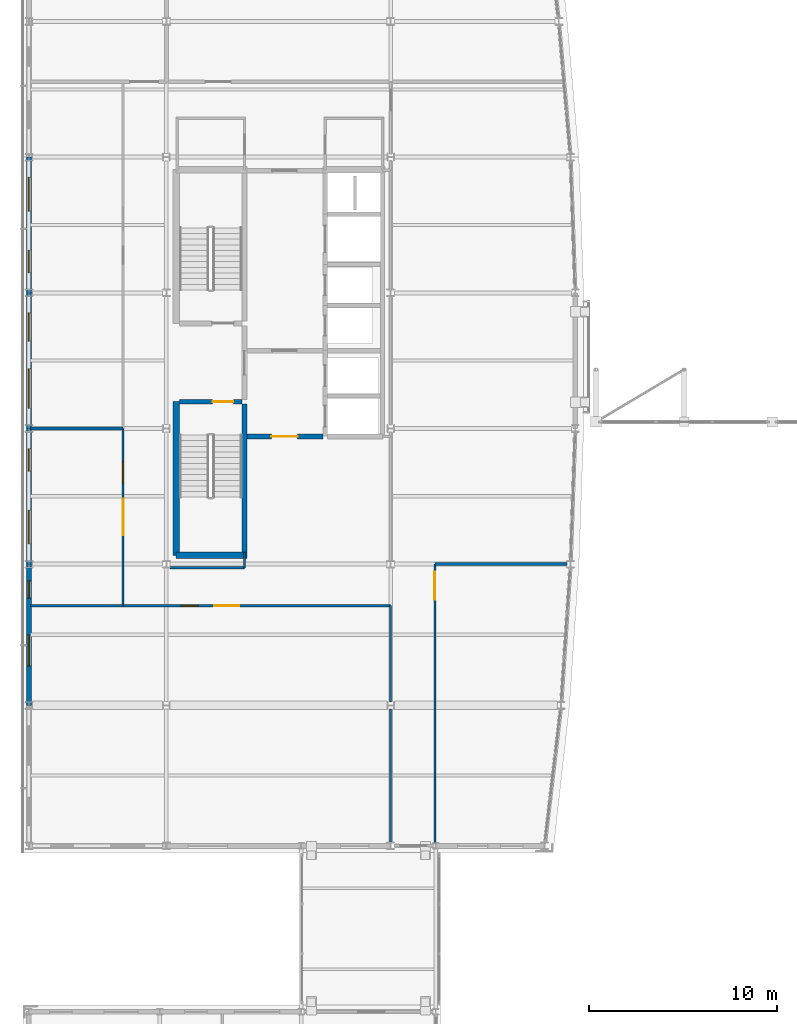
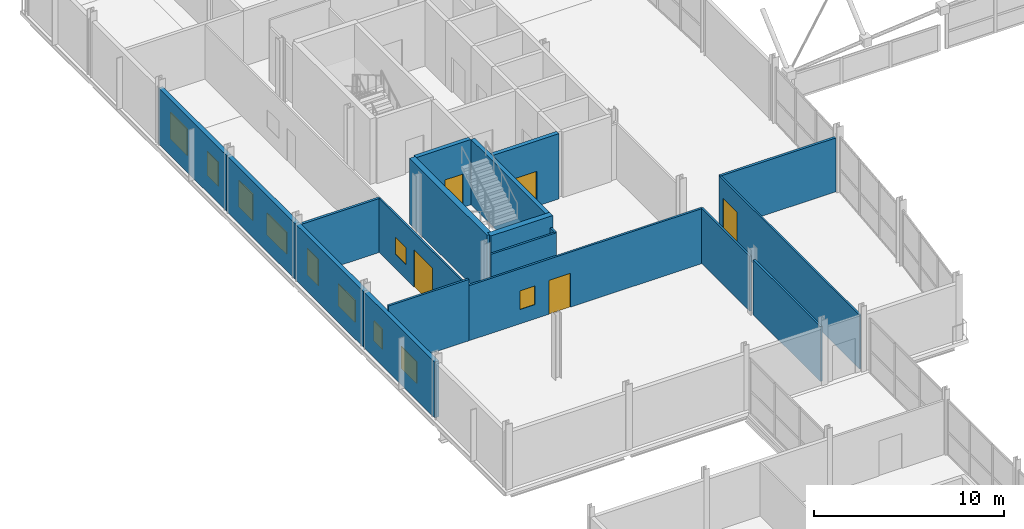
# One storey, part 50 of 60: 19 walls, 10 windows, 5 doors, 15 openings.
"""IFC4 building model written with IfcOpenShell, lengths in metres."""

from ifc_helpers import new_model, si_unit, direction, frame, frame_2d, origin, place, context, subcontext, project, spatial, rectangle, extrude, material, layer, layer_set, type_object, element, fill, save


model = new_model("IFC4")

# Units and contexts
model_context = context("Model", 3, precision=1e-05, world=origin(), true_north=direction((0.0, 1.0)))
body_context = subcontext(model_context, "Body", "Model", "MODEL_VIEW")
ifc_project = project(units=[si_unit("LENGTHUNIT", "METRE"), si_unit("AREAUNIT", "SQUARE_METRE"), si_unit("VOLUMEUNIT", "CUBIC_METRE"), si_unit("PLANEANGLEUNIT", "RADIAN"), si_unit("MASSUNIT", "GRAM", prefix="KILO")], contexts=[model_context])

# Site, building, storey
site_placement = place(None, origin())
site = spatial("IfcSite", under=ifc_project, at=site_placement, CompositionType="ELEMENT")
building_placement = place(site_placement, origin())
building = spatial("IfcBuilding", under=site, at=building_placement, Name="Quillay Park Conservatory", CompositionType="ELEMENT")
storey_placement = place(building_placement, frame((0.0, 0.0, 9.89990234375)))
storey = spatial("IfcBuildingStorey", under=building, at=storey_placement, Name="L02", CompositionType="ELEMENT", Elevation=9.89990234375)

# Wall, openings, window, door
ifc_material_1 = material(Name="Steel-Stud Acoustic Gypsum Board Partition", Category="steel")
ifc_layer_1 = layer(ifc_material_1, 0.10498046875)
ifc_layer_set_1 = layer_set([ifc_layer_1], Name="ACOUSTIC GYPSUM PARTITION 105 (Steel-Stud Acoustic Gypsum Board Partition)")
wall_type_1 = type_object("IfcWallType", Name="ACOUSTIC GYPSUM PARTITION 105", PredefinedType="PARTITIONING", material=ifc_layer_set_1)
wall_1_placement = place(storey_placement, frame((5.550048828125, 75.800048828125, 0.0), z_axis=(0.0, 0.0, 1.0), x_axis=(0.0, 1.0, 0.0)))
wall_1 = element("IfcWall", 1, at=wall_1_placement, inside=storey, type_object=wall_type_1, Name="L02 Botanical Map Reading Room Corridor Wall", PredefinedType="PARTITIONING", context=body_context, shape_type="SweptSolid", body=[
    extrude(rectangle(XDim=9.39990234375, YDim=0.10498046875, at=frame_2d((4.699951171875, 0.0))), origin(), (0.0, 0.0, 1.0), 3.466064453125),
])
opening_1_placement = place(wall_1_placement, frame((3.72509765625, 0.0, 0.0)))
opening_1 = element("IfcOpeningElement", 2, at=opening_1_placement, cuts=wall_1, Name="Opening D-RM30", PredefinedType="OPENING", context=body_context, shape_type="SweptSolid", body=[
    extrude(rectangle(XDim=1.949951171875, YDim=2.39990234375, at=frame_2d((0.97509765625, 1.199951171875))), frame((0.0, 0.052490234375, 0.0), z_axis=(0.0, -1.0, 0.0), x_axis=(1.0, 0.0, 0.0)), (0.0, 0.0, 1.0), 0.10498046875),
])
opening_2_placement = place(wall_1_placement, frame((6.52490234375, 0.0, 0.919921875)))
opening_2 = element("IfcOpeningElement", 3, at=opening_2_placement, cuts=wall_1, Name="Opening W-IN03", PredefinedType="OPENING", context=body_context, shape_type="SweptSolid", body=[
    extrude(rectangle(XDim=1.10009765625, YDim=1.10009765625, at=frame_2d((0.550048828125, 0.550048828125))), frame((0.0, 0.052490234375, 0.0), z_axis=(0.0, -1.0, 0.0), x_axis=(1.0, 0.0, 0.0)), (0.0, 0.0, 1.0), 0.10498046875),
])
ifc_material_2 = material(Name="Low-E Double Glazing (Laminated Tempered)", Category="glass")
window_type_1 = type_object("IfcWindowType", Name="OPERABLE VENT WINDOW 1100 X1100", PartitioningType="SINGLE_PANEL", PredefinedType="WINDOW", material=ifc_material_2)
window_1_placement = place(opening_2_placement, origin())
window_1 = element("IfcWindow", 4, at=window_1_placement, inside=storey, type_object=window_type_1, Name="L02 Laboratory Vision Panel 015", OverallHeight=1.10009765625, OverallWidth=1.10009765625, PartitioningType="SINGLE_PANEL", PredefinedType="WINDOW", context=body_context, shape_type="SweptSolid", body=[
    extrude(rectangle(XDim=1.10009765625, YDim=1.10009765625, at=frame_2d((0.550048828125, 0.550048828125))), frame((0.0, 0.030029296875, 0.0), z_axis=(0.0, -1.0, 0.0), x_axis=(1.0, 0.0, 0.0)), (0.0, 0.0, 1.0), 0.06005859375),
])
fill(opening_2, window_1)
ifc_material_3 = material(Name="Thermally Broken Anodised Aluminium 6063-T6", Category="aluminium")
door_type_1 = type_object("IfcDoorType", Name="SINGLE SWING DOOR 1950 X2400", OperationType="NOTDEFINED", PredefinedType="DOOR", material=ifc_material_3)
door_1_placement = place(opening_1_placement, origin())
door_1 = element("IfcDoor", 5, at=door_1_placement, inside=storey, type_object=door_type_1, Name="L02 Door to Botanical Map Reading Room", OperationType="SINGLE_SWING_RIGHT", OverallHeight=2.39990234375, OverallWidth=1.949951171875, PredefinedType="DOOR", context=body_context, shape_type="SweptSolid", body=[
    extrude(rectangle(XDim=1.949951171875, YDim=2.39990234375, at=frame_2d((0.97509765625, 1.199951171875))), frame((0.0, 0.02490234375, 0.0), z_axis=(0.0, -1.0, 0.0), x_axis=(1.0, 0.0, 0.0)), (0.0, 0.0, 1.0), 0.050048828125),
])
fill(opening_1, door_1)

# Wall, opening, door
ifc_material_4 = material(Name="Steel-Stud Acoustic Gypsum Board Partition", Category="steel")
ifc_layer_2 = layer(ifc_material_4, 0.110107421875)
ifc_layer_set_2 = layer_set([ifc_layer_2], Name="ACOUSTIC GYPSUM PARTITION 110 (Steel-Stud Acoustic Gypsum Board Partition)")
wall_type_2 = type_object("IfcWallType", Name="ACOUSTIC GYPSUM PARTITION 110", PredefinedType="PARTITIONING", material=ifc_layer_set_2)
wall_2_placement = place(storey_placement, frame((22.10009765625, 63.20654296875, 0.0), z_axis=(0.0, 0.0, 1.0), x_axis=(0.0, 1.0, 0.0)))
wall_2 = element("IfcWall", 6, at=wall_2_placement, inside=storey, type_object=wall_type_2, Name="L02 Botanical Court Overlook Lounge West Door Wall", PredefinedType="PARTITIONING", context=body_context, shape_type="SweptSolid", body=[
    extrude(rectangle(XDim=14.79345703125, YDim=0.110107421875, at=frame_2d((7.396728515625, 0.0))), origin(), (0.0, 0.0, 1.0), 3.466064453125),
])
opening_3_placement = place(wall_2_placement, frame((12.903564453125, 0.0, 0.0)))
opening_3 = element("IfcOpeningElement", 7, at=opening_3_placement, cuts=wall_2, Name="Opening D-RM37", PredefinedType="OPENING", context=body_context, shape_type="SweptSolid", body=[
    extrude(rectangle(XDim=1.47998046875, YDim=2.280029296875, at=frame_2d((0.739990234375, 1.14013671875))), frame((0.0, 0.05517578125, 0.0), z_axis=(0.0, -1.0, 0.0), x_axis=(1.0, 0.0, 0.0)), (0.0, 0.0, 1.0), 0.110107421875),
])
ifc_material_5 = material(Name="Thermally Broken Anodised Aluminium 6063-T6", Category="aluminium")
door_type_2 = type_object("IfcDoorType", Name="SINGLE SWING DOOR 1480 X2280", OperationType="NOTDEFINED", PredefinedType="DOOR", material=ifc_material_5)
door_2_placement = place(opening_3_placement, origin())
door_2 = element("IfcDoor", 8, at=door_2_placement, inside=storey, type_object=door_type_2, Name="L02 Door to Botanical Court Overlook Lounge", OperationType="SINGLE_SWING_LEFT", OverallHeight=2.280029296875, OverallWidth=1.47998046875, PredefinedType="DOOR", context=body_context, shape_type="SweptSolid", body=[
    extrude(rectangle(XDim=1.47998046875, YDim=2.280029296875, at=frame_2d((0.739990234375, 1.14013671875))), frame((0.0, 0.02490234375, 0.0), z_axis=(0.0, -1.0, 0.0), x_axis=(1.0, 0.0, 0.0)), (0.0, 0.0, 1.0), 0.050048828125),
])
fill(opening_3, door_2)

# Walls
ifc_material_6 = material(Name="Steel-Stud Acoustic Gypsum Board Partition", Category="steel")
ifc_layer_3 = layer(ifc_material_6, 0.114990234375)
ifc_layer_set_3 = layer_set([ifc_layer_3], Name="ACOUSTIC GYPSUM PARTITION 115 (Steel-Stud Acoustic Gypsum Board Partition)")
wall_type_3 = type_object("IfcWallType", Name="ACOUSTIC GYPSUM PARTITION 115", PredefinedType="PARTITIONING", material=ifc_layer_set_3)
wall_3_placement = place(storey_placement, frame((19.75, 70.6923828125, 0.0), z_axis=(0.0, 0.0, 1.0), x_axis=(0.0, 1.0, 0.0)))
element("IfcWall", 9, at=wall_3_placement, inside=storey, type_object=wall_type_3, Name="L02 Andean Endemic Flora Exhibition Gallery East Wall N", PredefinedType="PARTITIONING", context=body_context, shape_type="SweptSolid", body=[
    extrude(rectangle(XDim=5.107666015625, YDim=0.114990234375, at=frame_2d((2.5537109375, 0.0))), origin(), (0.0, 0.0, 1.0), 3.5419921875),
])
ifc_material_7 = material(Name="Steel-Stud Acoustic Gypsum Board Partition", Category="steel")
ifc_layer_4 = layer(ifc_material_7, 0.1201171875)
ifc_layer_set_4 = layer_set([ifc_layer_4], Name="ACOUSTIC GYPSUM PARTITION 120 (Steel-Stud Acoustic Gypsum Board Partition)")
wall_type_4 = type_object("IfcWallType", Name="ACOUSTIC GYPSUM PARTITION 120", PredefinedType="PARTITIONING", material=ifc_layer_set_4)
wall_4_placement = place(storey_placement, frame((12.0, 77.800048828125, 0.0), z_axis=(0.0, 0.0, 1.0), x_axis=(0.0, 1.0, 0.0)))
element("IfcWall", 10, at=wall_4_placement, inside=storey, type_object=wall_type_4, Name="L02 Core South Vestibule West Wall", PredefinedType="PARTITIONING", context=body_context, shape_type="SweptSolid", body=[
    extrude(rectangle(XDim=0.849853515625, YDim=0.1201171875, at=frame_2d((0.4248046875, 0.0))), origin(), (0.0, 0.0, 1.0), 3.466064453125),
])
wall_5_placement = place(storey_placement, frame((19.75, 63.235107421875, 0.0), z_axis=(0.0, 0.0, 1.0), x_axis=(0.0, 1.0, 0.0)))
element("IfcWall", 11, at=wall_5_placement, inside=storey, type_object=wall_type_4, Name="L02 Andean Endemic Flora Exhibition Gallery East Wall S", PredefinedType="PARTITIONING", context=body_context, shape_type="SweptSolid", body=[
    extrude(rectangle(XDim=7.072509765625, YDim=0.1201171875, at=frame_2d((3.5361328125, 0.0))), origin(), (0.0, 0.0, 1.0), 3.5419921875),
])
ifc_material_8 = material(Name="Steel-Stud Acoustic Gypsum Board Partition", Category="steel")
ifc_layer_5 = layer(ifc_material_8, 0.125)
ifc_layer_set_5 = layer_set([ifc_layer_5], Name="ACOUSTIC GYPSUM PARTITION 125 (Steel-Stud Acoustic Gypsum Board Partition)")
wall_type_5 = type_object("IfcWallType", Name="ACOUSTIC GYPSUM PARTITION 125", PredefinedType="PARTITIONING", material=ifc_layer_set_5)
wall_6_placement = place(storey_placement, frame((8.04248046875, 77.800048828125, 0.0), z_axis=(0.0, 0.0, 1.0), x_axis=(1.0, 0.0, 0.0)))
element("IfcWall", 12, at=wall_6_placement, inside=storey, type_object=wall_type_5, Name="L02 Core South-West Return", PredefinedType="PARTITIONING", context=body_context, shape_type="SweptSolid", body=[
    extrude(rectangle(XDim=3.95751953125, YDim=0.125, at=frame_2d((1.978759765625, 0.0))), origin(), (0.0, 0.0, 1.0), 3.466064453125),
])

# Wall, openings, window, door
wall_7_placement = place(storey_placement, frame((19.75, 75.800048828125, 0.0), z_axis=(0.0, 0.0, 1.0), x_axis=(-1.0, 0.0, 0.0)))
wall_7 = element("IfcWall", 13, at=wall_7_placement, inside=storey, type_object=wall_type_5, Name="L02 Andean Endemic Flora Exhibition Gallery North Door Wall", PredefinedType="PARTITIONING", context=body_context, shape_type="SweptSolid", body=[
    extrude(rectangle(XDim=14.199951171875, YDim=0.125, at=frame_2d((7.10009765625, 0.0))), origin(), (0.0, 0.0, 1.0), 3.5419921875),
])
opening_4_placement = place(wall_7_placement, frame((8.0400390625, 0.0, 0.0)))
opening_4 = element("IfcOpeningElement", 14, at=opening_4_placement, cuts=wall_7, Name="Opening D-RM36", PredefinedType="OPENING", context=body_context, shape_type="SweptSolid", body=[
    extrude(rectangle(XDim=1.320068359375, YDim=2.179931640625, at=frame_2d((0.66015625, 1.08984375))), frame((0.0, 0.0625, 0.0), z_axis=(0.0, -1.0, 0.0), x_axis=(1.0, 0.0, 0.0)), (0.0, 0.0, 1.0), 0.125),
])
opening_5_placement = place(wall_7_placement, frame((10.2099609375, 0.0, 0.919921875)))
opening_5 = element("IfcOpeningElement", 15, at=opening_5_placement, cuts=wall_7, Name="Opening W-IN05", PredefinedType="OPENING", context=body_context, shape_type="SweptSolid", body=[
    extrude(rectangle(XDim=0.89990234375, YDim=1.199951171875, at=frame_2d((0.449951171875, 0.60009765625))), frame((0.0, 0.0625, 0.0), z_axis=(0.0, -1.0, 0.0), x_axis=(1.0, 0.0, 0.0)), (0.0, 0.0, 1.0), 0.125),
])
ifc_material_9 = material(Name="Low-E Double Glazing (Laminated Tempered)", Category="glass")
window_type_2 = type_object("IfcWindowType", Name="OPERABLE VENT WINDOW 900 X1200", PartitioningType="SINGLE_PANEL", PredefinedType="WINDOW", material=ifc_material_9)
window_2_placement = place(opening_5_placement, origin())
window_2 = element("IfcWindow", 16, at=window_2_placement, inside=storey, type_object=window_type_2, Name="L02 Laboratory Vision Panel 017", OverallHeight=1.199951171875, OverallWidth=0.89990234375, PartitioningType="SINGLE_PANEL", PredefinedType="WINDOW", context=body_context, shape_type="SweptSolid", body=[
    extrude(rectangle(XDim=0.89990234375, YDim=1.199951171875, at=frame_2d((0.449951171875, 0.60009765625))), frame((0.0, 0.030029296875, 0.0), z_axis=(0.0, -1.0, 0.0), x_axis=(1.0, 0.0, 0.0)), (0.0, 0.0, 1.0), 0.06005859375),
])
fill(opening_5, window_2)
ifc_material_10 = material(Name="Thermally Broken Anodised Aluminium 6063-T6", Category="aluminium")
door_type_3 = type_object("IfcDoorType", Name="SINGLE SWING DOOR 1320 X2180", OperationType="NOTDEFINED", PredefinedType="DOOR", material=ifc_material_10)
door_3_placement = place(opening_4_placement, origin())
door_3 = element("IfcDoor", 17, at=door_3_placement, inside=storey, type_object=door_type_3, Name="L02 Door to Andean Endemic Flora Exhibition Gallery", OperationType="SINGLE_SWING_RIGHT", OverallHeight=2.179931640625, OverallWidth=1.320068359375, PredefinedType="DOOR", context=body_context, shape_type="SweptSolid", body=[
    extrude(rectangle(XDim=1.320068359375, YDim=2.179931640625, at=frame_2d((0.66015625, 1.08984375))), frame((0.0, 0.02490234375, 0.0), z_axis=(0.0, -1.0, 0.0), x_axis=(1.0, 0.0, 0.0)), (0.0, 0.0, 1.0), 0.050048828125),
])
fill(opening_4, door_3)

# Walls
ifc_material_11 = material(Name="Steel-Stud Acoustic Gypsum Board Partition", Category="steel")
ifc_layer_6 = layer(ifc_material_11, 0.1298828125)
ifc_layer_set_6 = layer_set([ifc_layer_6], Name="ACOUSTIC GYPSUM PARTITION 130 (Steel-Stud Acoustic Gypsum Board Partition)")
wall_type_6 = type_object("IfcWallType", Name="ACOUSTIC GYPSUM PARTITION 130", PredefinedType="PARTITIONING", material=ifc_layer_set_6)
wall_8_placement = place(storey_placement, frame((0.64990234375, 75.800048828125, 0.0), z_axis=(0.0, 0.0, 1.0), x_axis=(1.0, 0.0, 0.0)))
element("IfcWall", 18, at=wall_8_placement, inside=storey, type_object=wall_type_6, Name="L02 Andean Endemic Flora Exhibition Gallery North-West Wall", PredefinedType="PARTITIONING", context=body_context, shape_type="SweptSolid", body=[
    extrude(rectangle(XDim=4.900146484375, YDim=0.1298828125, at=frame_2d((2.4501953125, 0.0))), origin(), (0.0, 0.0, 1.0), 3.9501953125),
])
ifc_material_12 = material(Name="Steel-Stud Acoustic Gypsum Board Partition", Category="steel")
ifc_layer_7 = layer(ifc_material_12, 0.14990234375)
ifc_layer_set_7 = layer_set([ifc_layer_7], Name="ACOUSTIC GYPSUM PARTITION 150 (Steel-Stud Acoustic Gypsum Board Partition)")
wall_type_7 = type_object("IfcWallType", Name="ACOUSTIC GYPSUM PARTITION 150", PredefinedType="PARTITIONING", material=ifc_layer_set_7)
wall_9_placement = place(storey_placement, frame((0.64990234375, 85.199951171875, 0.0), z_axis=(0.0, 0.0, 1.0), x_axis=(1.0, 0.0, 0.0)))
element("IfcWall", 19, at=wall_9_placement, inside=storey, type_object=wall_type_7, Name="L02 West Divider 85", PredefinedType="PARTITIONING", context=body_context, shape_type="SweptSolid", body=[
    extrude(rectangle(XDim=4.900146484375, YDim=0.14990234375, at=frame_2d((2.4501953125, 0.0))), origin(), (0.0, 0.0, 1.0), 3.466064453125),
])
wall_10_placement = place(storey_placement, frame((22.10009765625, 78.0, 0.0), z_axis=(0.0, 0.0, 1.0), x_axis=(1.0, 0.0, 0.0)))
element("IfcWall", 20, at=wall_10_placement, inside=storey, type_object=wall_type_7, Name="L02 East Strip South Wall", PredefinedType="PARTITIONING", context=body_context, shape_type="SweptSolid", body=[
    extrude(rectangle(XDim=7.00732421875, YDim=0.14990234375, at=frame_2d((3.503662109375, 0.0))), origin(), (0.0, 0.0, 1.0), 3.466064453125),
])
ifc_material_13 = material(Name="Concrete C40/50 (NCh170 Concrete C40/50)", Category="concrete")
ifc_layer_8 = layer(ifc_material_13, 0.25)
ifc_layer_set_8 = layer_set([ifc_layer_8], Name="CORE SHEAR WALL 250 (Concrete C40/50 (NCh170 Concrete C40/50))")
wall_type_8 = type_object("IfcWallType", Name="CORE SHEAR WALL 250", PredefinedType="SHEAR", material=ifc_layer_set_8)
wall_11_placement = place(storey_placement, frame((11.9951171875, 78.64990234375, 0.0), z_axis=(0.0, 0.0, 1.0), x_axis=(0.0, 1.0, 0.0)))
element("IfcWall", 21, at=wall_11_placement, inside=storey, type_object=wall_type_8, Name="L02 Core Shear Wall WL-T2E-L02", PredefinedType="SHEAR", context=body_context, shape_type="SweptSolid", body=[
    extrude(rectangle(XDim=7.85009765625, YDim=0.25, at=frame_2d((3.925048828125, 0.0))), origin(), (0.0, 0.0, 1.0), 4.2001953125),
])

# Wall, opening, door
wall_12_placement = place(storey_placement, frame((8.550048828125, 86.625, 0.0), z_axis=(0.0, 0.0, 1.0), x_axis=(1.0, 0.0, 0.0)))
wall_12 = element("IfcWall", 22, at=wall_12_placement, inside=storey, type_object=wall_type_8, Name="L02 Core Shear Wall WL-ST2D-L02", PredefinedType="SHEAR", context=body_context, shape_type="SweptSolid", body=[
    extrude(rectangle(XDim=3.320068359375, YDim=0.25, at=frame_2d((1.66015625, 0.0))), origin(), (0.0, 0.0, 1.0), 4.2001953125),
])
opening_6_placement = place(wall_12_placement, frame((1.75, 0.0, 0.0)))
opening_6 = element("IfcOpeningElement", 23, at=opening_6_placement, cuts=wall_12, Name="Opening D-ST01", PredefinedType="OPENING", context=body_context, shape_type="SweptSolid", body=[
    extrude(rectangle(XDim=1.10009765625, YDim=2.14990234375, at=frame_2d((0.550048828125, 1.074951171875))), frame((0.0, 0.125, 0.0), z_axis=(0.0, -1.0, 0.0), x_axis=(1.0, 0.0, 0.0)), (0.0, 0.0, 1.0), 0.25),
])
ifc_material_14 = material(Name="Steel ASTM A572 Grade 50", Category="steel")
door_type_4 = type_object("IfcDoorType", Name="FIRE RATED STAIR DOOR 1100 X2150", OperationType="NOTDEFINED", PredefinedType="DOOR", material=ifc_material_14)
door_4_placement = place(opening_6_placement, origin())
door_4 = element("IfcDoor", 24, at=door_4_placement, inside=storey, type_object=door_type_4, Name="L02 Protected Stair ST-T2 Door", OperationType="SINGLE_SWING_LEFT", OverallHeight=2.14990234375, OverallWidth=1.10009765625, PredefinedType="DOOR", context=body_context, shape_type="SweptSolid", body=[
    extrude(rectangle(XDim=1.10009765625, YDim=2.14990234375, at=frame_2d((0.550048828125, 1.074951171875))), frame((0.0, 0.02490234375, 0.0), z_axis=(0.0, -1.0, 0.0), x_axis=(1.0, 0.0, 0.0)), (0.0, 0.0, 1.0), 0.050048828125),
])
fill(opening_6, door_4)

wall_13_placement = place(storey_placement, frame((12.1201171875, 84.77490234375, 0.0), z_axis=(0.0, 0.0, 1.0), x_axis=(1.0, 0.0, 0.0)))
wall_13 = element("IfcWall", 25, at=wall_13_placement, inside=storey, type_object=wall_type_8, Name="L02 Core Shear Wall WL-FFS-L02", PredefinedType="SHEAR", context=body_context, shape_type="SweptSolid", body=[
    extrude(rectangle(XDim=4.02978515625, YDim=0.25, at=frame_2d((2.014892578125, 0.0))), origin(), (0.0, 0.0, 1.0), 4.2001953125),
])
opening_7_placement = place(wall_13_placement, frame((1.300048828125, 0.0, 0.0)))
opening_7 = element("IfcOpeningElement", 26, at=opening_7_placement, cuts=wall_13, Name="Opening D-LB03", PredefinedType="OPENING", context=body_context, shape_type="SweptSolid", body=[
    extrude(rectangle(XDim=1.39990234375, YDim=2.25, at=frame_2d((0.699951171875, 1.125))), frame((0.0, 0.125, 0.0), z_axis=(0.0, -1.0, 0.0), x_axis=(1.0, 0.0, 0.0)), (0.0, 0.0, 1.0), 0.25),
])
ifc_material_15 = material(Name="Steel ASTM A572 Grade 50", Category="steel")
door_type_5 = type_object("IfcDoorType", Name="FIRE RATED LOBBY DOOR 1400 X2250", OperationType="NOTDEFINED", PredefinedType="DOOR", material=ifc_material_15)
door_5_placement = place(opening_7_placement, origin())
door_5 = element("IfcDoor", 27, at=door_5_placement, inside=storey, type_object=door_type_5, Name="L02 South Core Lobby Door", OperationType="SINGLE_SWING_RIGHT", OverallHeight=2.25, OverallWidth=1.39990234375, PredefinedType="DOOR", context=body_context, shape_type="SweptSolid", body=[
    extrude(rectangle(XDim=1.39990234375, YDim=2.25, at=frame_2d((0.699951171875, 1.125))), frame((0.0, 0.02490234375, 0.0), z_axis=(0.0, -1.0, 0.0), x_axis=(1.0, 0.0, 0.0)), (0.0, 0.0, 1.0), 0.050048828125),
])
fill(opening_7, door_5)

# Walls
ifc_material_16 = material(Name="Concrete C40/50 (NCh170 Concrete C40/50)", Category="concrete")
ifc_layer_9 = layer(ifc_material_16, 0.35009765625)
ifc_layer_set_9 = layer_set([ifc_layer_9], Name="CORE SHEAR WALL 350 (Concrete C40/50 (NCh170 Concrete C40/50))")
wall_type_9 = type_object("IfcWallType", Name="CORE SHEAR WALL 350", PredefinedType="SHEAR", material=ifc_layer_set_9)
wall_14_placement = place(storey_placement, frame((8.375, 78.449951171875, 0.0), z_axis=(0.0, 0.0, 1.0), x_axis=(0.0, 1.0, 0.0)))
element("IfcWall", 28, at=wall_14_placement, inside=storey, type_object=wall_type_9, Name="L02 Core Shear Wall WL-TCW-S-L02", PredefinedType="SHEAR", context=body_context, shape_type="SweptSolid", body=[
    extrude(rectangle(XDim=8.175048828125, YDim=0.35009765625, at=frame_2d((4.08740234375, 0.0))), origin(), (0.0, 0.0, 1.0), 4.2001953125),
])
wall_15_placement = place(storey_placement, frame((8.35009765625, 78.47509765625, 0.0), z_axis=(0.0, 0.0, 1.0), x_axis=(1.0, 0.0, 0.0)))
element("IfcWall", 29, at=wall_15_placement, inside=storey, type_object=wall_type_9, Name="L02 Core Shear Wall WL-TCS-L02", PredefinedType="SHEAR", context=body_context, shape_type="SweptSolid", body=[
    extrude(rectangle(XDim=3.77001953125, YDim=0.35009765625, at=frame_2d((1.885009765625, 0.0))), origin(), (0.0, 0.0, 1.0), 4.2001953125),
])

# Wall, openings, windows
ifc_material_17 = material(Name="Glass-Fibre Reinforced Concrete (GRC) Cladding", Category="concrete")
ifc_layer_10 = layer(ifc_material_17, 0.260009765625)
ifc_layer_set_10 = layer_set([ifc_layer_10], Name="EXTERIOR SOLID WALL 260 (Glass-Fibre Reinforced Concrete (GRC) Cladding)")
wall_type_10 = type_object("IfcWallType", Name="EXTERIOR SOLID WALL 260", PredefinedType="SOLIDWALL", material=ifc_layer_set_10)
wall_16_placement = place(storey_placement, frame((0.550048828125, 70.5, 0.0), z_axis=(0.0, 0.0, 1.0), x_axis=(0.0, 1.0, 0.0)))
wall_16 = element("IfcWall", 30, at=wall_16_placement, inside=storey, type_object=wall_type_10, Name="L02 External Wall WL-EXT-V4W-L02-1", PredefinedType="SOLIDWALL", context=body_context, shape_type="SweptSolid", body=[
    extrude(rectangle(XDim=7.5, YDim=0.260009765625, at=frame_2d((3.75, 0.0))), origin(), (0.0, 0.0, 1.0), 3.592041015625),
])
opening_8_placement = place(wall_16_placement, frame((2.080078125, 0.0, 0.919921875)))
opening_8 = element("IfcOpeningElement", 31, at=opening_8_placement, cuts=wall_16, Name="Opening W-04", PredefinedType="OPENING", context=body_context, shape_type="SweptSolid", body=[
    extrude(rectangle(XDim=1.64990234375, YDim=1.39990234375, at=frame_2d((0.824951171875, 0.699951171875))), frame((0.0, 0.1298828125, 0.0), z_axis=(0.0, -1.0, 0.0), x_axis=(1.0, 0.0, 0.0)), (0.0, 0.0, 1.0), 0.260009765625),
])
opening_9_placement = place(wall_16_placement, frame((5.695068359375, 0.0, 0.919921875)))
opening_9 = element("IfcOpeningElement", 32, at=opening_9_placement, cuts=wall_16, Name="Opening W-17", PredefinedType="OPENING", context=body_context, shape_type="SweptSolid", body=[
    extrude(rectangle(XDim=0.89990234375, YDim=1.300048828125, at=frame_2d((0.449951171875, 0.64990234375))), frame((0.0, 0.1298828125, 0.0), z_axis=(0.0, -1.0, 0.0), x_axis=(1.0, 0.0, 0.0)), (0.0, 0.0, 1.0), 0.260009765625),
])
ifc_material_18 = material(Name="Low-E Double Glazing (Laminated Tempered)", Category="glass")
window_type_3 = type_object("IfcWindowType", Name="FIXED CASEMENT WINDOW 1650 X1400", PartitioningType="DOUBLE_PANEL_VERTICAL", PredefinedType="WINDOW", material=ifc_material_18)
window_3_placement = place(opening_8_placement, origin())
window_3 = element("IfcWindow", 33, at=window_3_placement, inside=storey, type_object=window_type_3, Name="L02 Exterior Window 0107", OverallHeight=1.39990234375, OverallWidth=1.64990234375, PartitioningType="DOUBLE_PANEL_VERTICAL", PredefinedType="WINDOW", context=body_context, shape_type="SweptSolid", body=[
    extrude(rectangle(XDim=1.64990234375, YDim=1.39990234375, at=frame_2d((0.824951171875, 0.699951171875))), frame((0.0, 0.030029296875, 0.0), z_axis=(0.0, -1.0, 0.0), x_axis=(1.0, 0.0, 0.0)), (0.0, 0.0, 1.0), 0.06005859375),
])
fill(opening_8, window_3)
ifc_material_19 = material(Name="Low-E Double Glazing (Laminated Tempered)", Category="glass")
window_type_4 = type_object("IfcWindowType", Name="FIXED CASEMENT WINDOW 900 X1300", PartitioningType="SINGLE_PANEL", PredefinedType="WINDOW", material=ifc_material_19)
window_4_placement = place(opening_9_placement, origin())
window_4 = element("IfcWindow", 34, at=window_4_placement, inside=storey, type_object=window_type_4, Name="L02 Exterior Window 0108", OverallHeight=1.300048828125, OverallWidth=0.89990234375, PartitioningType="SINGLE_PANEL", PredefinedType="WINDOW", context=body_context, shape_type="SweptSolid", body=[
    extrude(rectangle(XDim=0.89990234375, YDim=1.300048828125, at=frame_2d((0.449951171875, 0.64990234375))), frame((0.0, 0.030029296875, 0.0), z_axis=(0.0, -1.0, 0.0), x_axis=(1.0, 0.0, 0.0)), (0.0, 0.0, 1.0), 0.06005859375),
])
fill(opening_9, window_4)

wall_17_placement = place(storey_placement, frame((0.550048828125, 78.0, 0.0), z_axis=(0.0, 0.0, 1.0), x_axis=(0.0, 1.0, 0.0)))
wall_17 = element("IfcWall", 35, at=wall_17_placement, inside=storey, type_object=wall_type_10, Name="L02 External Wall WL-EXT-V4W-L02-2", PredefinedType="SOLIDWALL", context=body_context, shape_type="SweptSolid", body=[
    extrude(rectangle(XDim=7.199951171875, YDim=0.260009765625, at=frame_2d((3.60009765625, 0.0))), origin(), (0.0, 0.0, 1.0), 3.592041015625),
])
opening_10_placement = place(wall_17_placement, frame((1.070068359375, 0.0, 0.919921875)))
opening_10 = element("IfcOpeningElement", 36, at=opening_10_placement, cuts=wall_17, Name="Opening W-05", PredefinedType="OPENING", context=body_context, shape_type="SweptSolid", body=[
    extrude(rectangle(XDim=1.800048828125, YDim=1.39990234375, at=frame_2d((0.89990234375, 0.699951171875))), frame((0.0, 0.1298828125, 0.0), z_axis=(0.0, -1.0, 0.0), x_axis=(1.0, 0.0, 0.0)), (0.0, 0.0, 1.0), 0.260009765625),
])
opening_11_placement = place(wall_17_placement, frame((4.929931640625, 0.0, 0.919921875)))
opening_11 = element("IfcOpeningElement", 37, at=opening_11_placement, cuts=wall_17, Name="Opening W-12", PredefinedType="OPENING", context=body_context, shape_type="SweptSolid", body=[
    extrude(rectangle(XDim=1.199951171875, YDim=1.699951171875, at=frame_2d((0.60009765625, 0.85009765625))), frame((0.0, 0.1298828125, 0.0), z_axis=(0.0, -1.0, 0.0), x_axis=(1.0, 0.0, 0.0)), (0.0, 0.0, 1.0), 0.260009765625),
])
ifc_material_20 = material(Name="Low-E Double Glazing (Laminated Tempered)", Category="glass")
window_type_5 = type_object("IfcWindowType", Name="FIXED CASEMENT WINDOW 1200 X1700", PartitioningType="SINGLE_PANEL", PredefinedType="WINDOW", material=ifc_material_20)
window_5_placement = place(opening_11_placement, origin())
window_5 = element("IfcWindow", 38, at=window_5_placement, inside=storey, type_object=window_type_5, Name="L02 Exterior Window 0110", OverallHeight=1.699951171875, OverallWidth=1.199951171875, PartitioningType="SINGLE_PANEL", PredefinedType="WINDOW", context=body_context, shape_type="SweptSolid", body=[
    extrude(rectangle(XDim=1.199951171875, YDim=1.699951171875, at=frame_2d((0.60009765625, 0.85009765625))), frame((0.0, 0.030029296875, 0.0), z_axis=(0.0, -1.0, 0.0), x_axis=(1.0, 0.0, 0.0)), (0.0, 0.0, 1.0), 0.06005859375),
])
fill(opening_11, window_5)
ifc_material_21 = material(Name="Low-E Double Glazing (Laminated Tempered)", Category="glass")
window_type_6 = type_object("IfcWindowType", Name="FIXED CASEMENT WINDOW 1800 X1400", PartitioningType="DOUBLE_PANEL_VERTICAL", PredefinedType="WINDOW", material=ifc_material_21)
window_6_placement = place(opening_10_placement, origin())
window_6 = element("IfcWindow", 39, at=window_6_placement, inside=storey, type_object=window_type_6, Name="L02 Exterior Window 0109", OverallHeight=1.39990234375, OverallWidth=1.800048828125, PartitioningType="DOUBLE_PANEL_VERTICAL", PredefinedType="WINDOW", context=body_context, shape_type="SweptSolid", body=[
    extrude(rectangle(XDim=1.800048828125, YDim=1.39990234375, at=frame_2d((0.89990234375, 0.699951171875))), frame((0.0, 0.030029296875, 0.0), z_axis=(0.0, -1.0, 0.0), x_axis=(1.0, 0.0, 0.0)), (0.0, 0.0, 1.0), 0.06005859375),
])
fill(opening_10, window_6)

wall_18_placement = place(storey_placement, frame((0.550048828125, 85.199951171875, 0.0), z_axis=(0.0, 0.0, 1.0), x_axis=(0.0, 1.0, 0.0)))
wall_18 = element("IfcWall", 40, at=wall_18_placement, inside=storey, type_object=wall_type_10, Name="L02 External Wall WL-EXT-V4W-L02-3", PredefinedType="SOLIDWALL", context=body_context, shape_type="SweptSolid", body=[
    extrude(rectangle(XDim=7.199951171875, YDim=0.260009765625, at=frame_2d((3.60009765625, 0.0))), origin(), (0.0, 0.0, 1.0), 3.592041015625),
])
opening_12_placement = place(wall_18_placement, frame((1.070068359375, 0.0, 0.919921875)))
opening_12 = element("IfcOpeningElement", 41, at=opening_12_placement, cuts=wall_18, Name="Opening W-06", PredefinedType="OPENING", context=body_context, shape_type="SweptSolid", body=[
    extrude(rectangle(XDim=2.10009765625, YDim=1.39990234375, at=frame_2d((1.050048828125, 0.699951171875))), frame((0.0, 0.1298828125, 0.0), z_axis=(0.0, -1.0, 0.0), x_axis=(1.0, 0.0, 0.0)), (0.0, 0.0, 1.0), 0.260009765625),
])
opening_13_placement = place(wall_18_placement, frame((4.6298828125, 0.0, 0.919921875)))
opening_13 = element("IfcOpeningElement", 42, at=opening_13_placement, cuts=wall_18, Name="Opening W-13", PredefinedType="OPENING", context=body_context, shape_type="SweptSolid", body=[
    extrude(rectangle(XDim=1.5, YDim=1.699951171875, at=frame_2d((0.75, 0.85009765625))), frame((0.0, 0.1298828125, 0.0), z_axis=(0.0, -1.0, 0.0), x_axis=(1.0, 0.0, 0.0)), (0.0, 0.0, 1.0), 0.260009765625),
])
ifc_material_22 = material(Name="Low-E Double Glazing (Laminated Tempered)", Category="glass")
window_type_7 = type_object("IfcWindowType", Name="FIXED CASEMENT WINDOW 1500 X1700", PartitioningType="SINGLE_PANEL", PredefinedType="WINDOW", material=ifc_material_22)
window_7_placement = place(opening_13_placement, origin())
window_7 = element("IfcWindow", 43, at=window_7_placement, inside=storey, type_object=window_type_7, Name="L02 Exterior Window 0112", OverallHeight=1.699951171875, OverallWidth=1.5, PartitioningType="SINGLE_PANEL", PredefinedType="WINDOW", context=body_context, shape_type="SweptSolid", body=[
    extrude(rectangle(XDim=1.5, YDim=1.699951171875, at=frame_2d((0.75, 0.85009765625))), frame((0.0, 0.030029296875, 0.0), z_axis=(0.0, -1.0, 0.0), x_axis=(1.0, 0.0, 0.0)), (0.0, 0.0, 1.0), 0.06005859375),
])
fill(opening_13, window_7)
ifc_material_23 = material(Name="Low-E Double Glazing (Laminated Tempered)", Category="glass")
window_type_8 = type_object("IfcWindowType", Name="FIXED CASEMENT WINDOW 2100 X1400", PartitioningType="DOUBLE_PANEL_VERTICAL", PredefinedType="WINDOW", material=ifc_material_23)
window_8_placement = place(opening_12_placement, origin())
window_8 = element("IfcWindow", 44, at=window_8_placement, inside=storey, type_object=window_type_8, Name="L02 Exterior Window 0111", OverallHeight=1.39990234375, OverallWidth=2.10009765625, PartitioningType="DOUBLE_PANEL_VERTICAL", PredefinedType="WINDOW", context=body_context, shape_type="SweptSolid", body=[
    extrude(rectangle(XDim=2.10009765625, YDim=1.39990234375, at=frame_2d((1.050048828125, 0.699951171875))), frame((0.0, 0.030029296875, 0.0), z_axis=(0.0, -1.0, 0.0), x_axis=(1.0, 0.0, 0.0)), (0.0, 0.0, 1.0), 0.06005859375),
])
fill(opening_12, window_8)

wall_19_placement = place(storey_placement, frame((0.550048828125, 92.39990234375, 0.0), z_axis=(0.0, 0.0, 1.0), x_axis=(0.0, 1.0, 0.0)))
wall_19 = element("IfcWall", 45, at=wall_19_placement, inside=storey, type_object=wall_type_10, Name="L02 External Wall WL-EXT-V4W-L02-4", PredefinedType="SOLIDWALL", context=body_context, shape_type="SweptSolid", body=[
    extrude(rectangle(XDim=7.2001953125, YDim=0.260009765625, at=frame_2d((3.60009765625, 0.0))), origin(), (0.0, 0.0, 1.0), 3.592041015625),
])
opening_14_placement = place(wall_19_placement, frame((1.070068359375, 0.0, 0.919921875)))
opening_14 = element("IfcOpeningElement", 46, at=opening_14_placement, cuts=wall_19, Name="Opening W-07", PredefinedType="OPENING", context=body_context, shape_type="SweptSolid", body=[
    extrude(rectangle(XDim=1.199951171875, YDim=1.550048828125, at=frame_2d((0.60009765625, 0.77490234375))), frame((0.0, 0.1298828125, 0.0), z_axis=(0.0, -1.0, 0.0), x_axis=(1.0, 0.0, 0.0)), (0.0, 0.0, 1.0), 0.260009765625),
])
opening_15_placement = place(wall_19_placement, frame((4.330078125, 0.0, 0.919921875)))
opening_15 = element("IfcOpeningElement", 47, at=opening_15_placement, cuts=wall_19, Name="Opening W-14", PredefinedType="OPENING", context=body_context, shape_type="SweptSolid", body=[
    extrude(rectangle(XDim=1.800048828125, YDim=1.699951171875, at=frame_2d((0.89990234375, 0.85009765625))), frame((0.0, 0.1298828125, 0.0), z_axis=(0.0, -1.0, 0.0), x_axis=(1.0, 0.0, 0.0)), (0.0, 0.0, 1.0), 0.260009765625),
])
ifc_material_24 = material(Name="Low-E Double Glazing (Laminated Tempered)", Category="glass")
window_type_9 = type_object("IfcWindowType", Name="FIXED CASEMENT WINDOW 1200 X1550", PartitioningType="SINGLE_PANEL", PredefinedType="WINDOW", material=ifc_material_24)
window_9_placement = place(opening_14_placement, origin())
window_9 = element("IfcWindow", 48, at=window_9_placement, inside=storey, type_object=window_type_9, Name="L02 Exterior Window 0113", OverallHeight=1.550048828125, OverallWidth=1.199951171875, PartitioningType="SINGLE_PANEL", PredefinedType="WINDOW", context=body_context, shape_type="SweptSolid", body=[
    extrude(rectangle(XDim=1.199951171875, YDim=1.550048828125, at=frame_2d((0.60009765625, 0.77490234375))), frame((0.0, 0.030029296875, 0.0), z_axis=(0.0, -1.0, 0.0), x_axis=(1.0, 0.0, 0.0)), (0.0, 0.0, 1.0), 0.06005859375),
])
fill(opening_14, window_9)
ifc_material_25 = material(Name="Low-E Double Glazing (Laminated Tempered)", Category="glass")
window_type_10 = type_object("IfcWindowType", Name="FIXED CASEMENT WINDOW 1800 X1700", PartitioningType="DOUBLE_PANEL_VERTICAL", PredefinedType="WINDOW", material=ifc_material_25)
window_10_placement = place(opening_15_placement, origin())
window_10 = element("IfcWindow", 49, at=window_10_placement, inside=storey, type_object=window_type_10, Name="L02 Exterior Window 0114", OverallHeight=1.699951171875, OverallWidth=1.800048828125, PartitioningType="DOUBLE_PANEL_VERTICAL", PredefinedType="WINDOW", context=body_context, shape_type="SweptSolid", body=[
    extrude(rectangle(XDim=1.800048828125, YDim=1.699951171875, at=frame_2d((0.89990234375, 0.85009765625))), frame((0.0, 0.030029296875, 0.0), z_axis=(0.0, -1.0, 0.0), x_axis=(1.0, 0.0, 0.0)), (0.0, 0.0, 1.0), 0.06005859375),
])
fill(opening_15, window_10)

save(model, "model.ifc")
